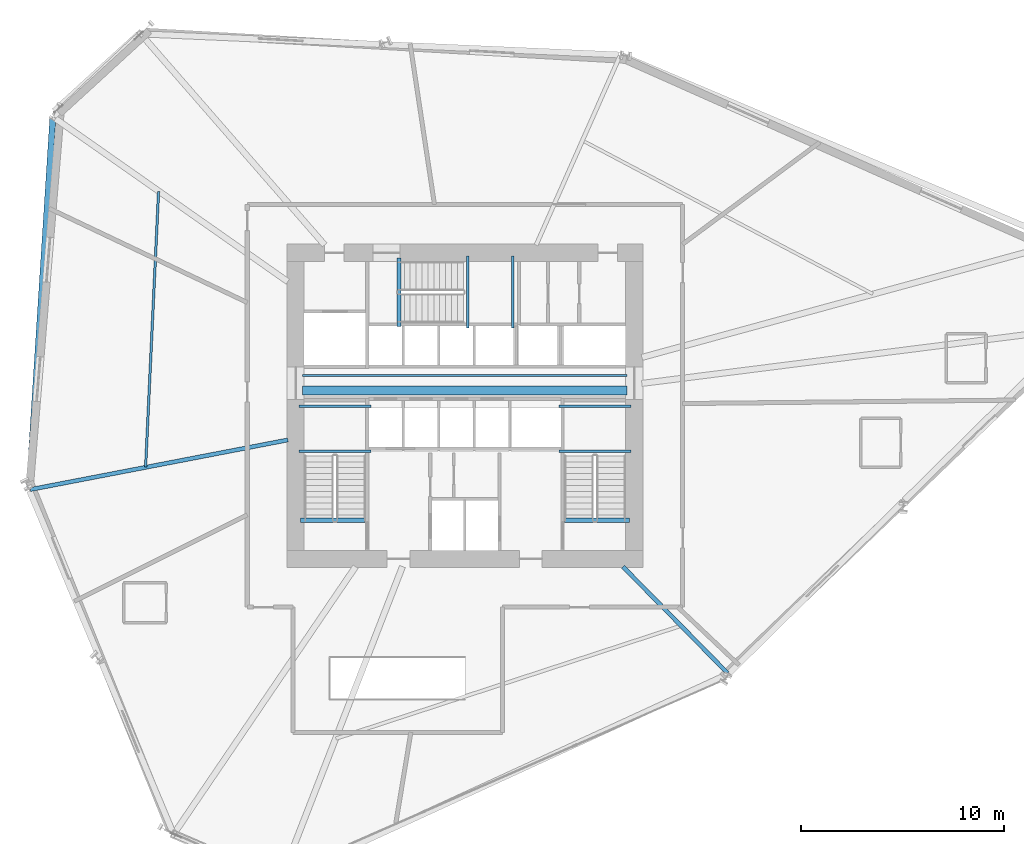
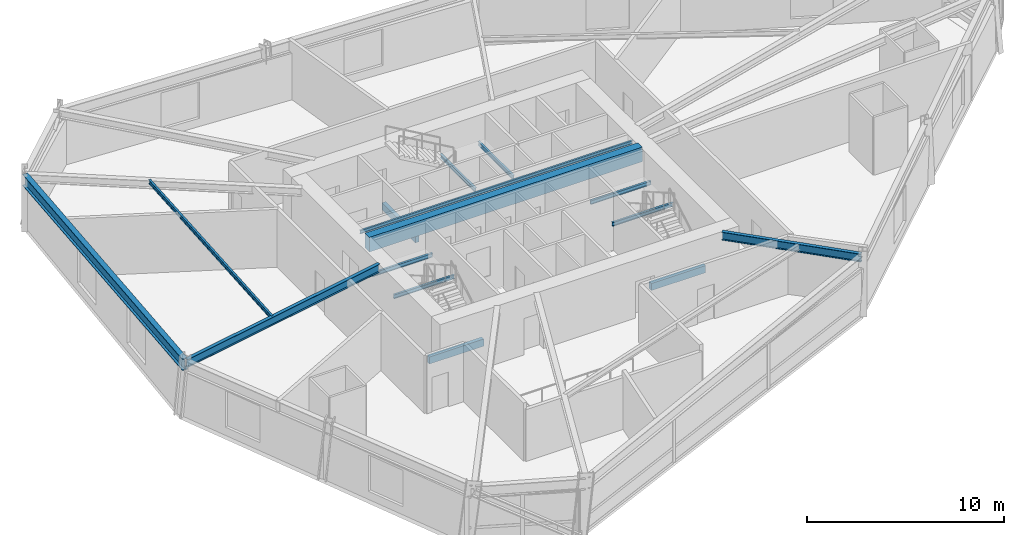
# One storey, part 7 of 17: 15 beams.
"""IFC4 building model written with IfcOpenShell, lengths in metres."""

from ifc_helpers import new_model, si_unit, direction, frame, origin, origin_2d, place, context, subcontext, project, spatial, rectangle, i_section, extrude, source, transform, mapped, material, material_profile, profile_set, type_object, element, save


model = new_model("IFC4")

# Units and contexts
model_context = context("Model", 3, precision=1e-05, world=origin(), true_north=direction((0.0, 1.0)))
body_context = subcontext(model_context, "Body", "Model", "MODEL_VIEW")
ifc_project = project(units=[si_unit("LENGTHUNIT", "METRE"), si_unit("AREAUNIT", "SQUARE_METRE"), si_unit("VOLUMEUNIT", "CUBIC_METRE"), si_unit("PLANEANGLEUNIT", "RADIAN"), si_unit("MASSUNIT", "GRAM", prefix="KILO")], contexts=[model_context])

# Site, building, storey
site_placement = place(None, origin())
site = spatial("IfcSite", under=ifc_project, at=site_placement, CompositionType="ELEMENT")
building_placement = place(site_placement, origin())
building = spatial("IfcBuilding", under=site, at=building_placement, Name="Olszyna Solenne Hotel", CompositionType="ELEMENT")
storey_placement = place(building_placement, frame((0.0, 0.0, 75.89990234375)))
storey = spatial("IfcBuildingStorey", under=building, at=storey_placement, Name="L19", CompositionType="ELEMENT", Elevation=75.89990234375)

# Beams
ifc_material_1 = material(Name="Steel S355J2", Category="steel")
ifc_material_profile_1 = material_profile(ifc_material_1, i_section(OverallWidth=0.300048828125, OverallDepth=0.699951171875, WebThickness=0.01708984375, FlangeThickness=0.031982421875, at=origin_2d()), Name="HEB 700", Category="load-bearing")
ifc_profile_set_1 = profile_set([ifc_material_profile_1], Name="Steel S355J2")
beam_type_1 = type_object("IfcBeamType", Name="BM-S1", PredefinedType="BEAM", material=ifc_profile_set_1)
shared_shape_1 = source(origin(), body_context, "Body", "SweptSolid", [
    extrude(i_section(OverallWidth=0.300048828125, OverallDepth=0.699951171875, WebThickness=0.01708984375, FlangeThickness=0.031982421875, at=origin_2d()), origin(), (0.0, 0.0, 1.0), 18.249267578125),
])
beam_1_placement = place(storey_placement, frame((17.739013671875, 40.74609375, 3.22998046875), z_axis=(-0.063612557404, -0.99797467029, 0.0), x_axis=(0.99797467029, -0.063612557404, 0.0)))
element("IfcBeam", 1, at=beam_1_placement, inside=storey, type_object=beam_type_1, Name="Perimeter spandrel beam BM-S1 B-L19-0581", PredefinedType="BEAM", context=body_context, shape_type="MappedRepresentation", body=[
    mapped(shared_shape_1, transform((0.0, 0.0, 0.0), x_axis=(1.0, 0.0, 0.0), y_axis=(0.0, 1.0, 0.0), z_axis=(0.0, 0.0, 1.0), scale=1.0)),
])
ifc_material_profile_2 = material_profile(ifc_material_1, i_section(OverallWidth=0.199951171875, OverallDepth=0.5, WebThickness=0.01025390625, FlangeThickness=0.01611328125, at=origin_2d()), Name="IPE 500", Category="load-bearing")
ifc_profile_set_2 = profile_set([ifc_material_profile_2], Name="Steel S355J2")
beam_type_2 = type_object("IfcBeamType", Name="BM-F3", PredefinedType="BEAM", material=ifc_profile_set_2)
shared_shape_2 = source(origin(), body_context, "Body", "SweptSolid", [
    extrude(i_section(OverallWidth=0.199951171875, OverallDepth=0.5, WebThickness=0.01025390625, FlangeThickness=0.01611328125, at=origin_2d()), origin(), (0.0, 0.0, 1.0), 12.8984375),
])
beam_2_placement = place(storey_placement, frame((16.63330078125, 22.485107421875, 3.330078125), z_axis=(0.981956325274, 0.189107840279, 0.0), x_axis=(-0.189107840279, 0.981956325274, 0.0)))
element("IfcBeam", 2, at=beam_2_placement, inside=storey, type_object=beam_type_2, Name="Radial floor girder BM-F3 B-L19-0593", PredefinedType="BEAM", context=body_context, shape_type="MappedRepresentation", body=[
    mapped(shared_shape_2, transform((0.0, 0.0, 0.0), x_axis=(1.0, 0.0, 0.0), y_axis=(0.0, 1.0, 0.0), z_axis=(0.0, 0.0, 1.0), scale=1.0)),
])
shared_shape_3 = source(origin(), body_context, "Body", "SweptSolid", [
    extrude(i_section(OverallWidth=0.199951171875, OverallDepth=0.5, WebThickness=0.01025390625, FlangeThickness=0.01611328125, at=origin_2d()), origin(), (0.0, 0.0, 1.0), 7.326904296875),
])
beam_3_placement = place(storey_placement, frame((50.91357421875, 13.4599609375, 3.330078125), z_axis=(-0.700932403547, 0.713227709542, 0.0), x_axis=(-0.713227709542, -0.700932403547, 0.0)))
element("IfcBeam", 3, at=beam_3_placement, inside=storey, type_object=beam_type_2, Name="Radial floor girder BM-F3 B-L19-0596", PredefinedType="BEAM", context=body_context, shape_type="MappedRepresentation", body=[
    mapped(shared_shape_3, transform((0.0, 0.0, 0.0), x_axis=(1.0, 0.0, 0.0), y_axis=(0.0, 1.0, 0.0), z_axis=(0.0, 0.0, 1.0), scale=1.0)),
])
ifc_material_profile_3 = material_profile(ifc_material_1, i_section(OverallWidth=0.1201171875, OverallDepth=0.239990234375, WebThickness=0.006103515625, FlangeThickness=0.009765625, at=origin_2d()), Name="IPE 240", Category="load-bearing")
ifc_profile_set_3 = profile_set([ifc_material_profile_3], Name="Steel S355J2")
beam_type_3 = type_object("IfcBeamType", Name="JS-03", PredefinedType="JOIST", material=ifc_profile_set_3)
shared_shape_4 = source(origin(), body_context, "Body", "SweptSolid", [
    extrude(i_section(OverallWidth=0.1201171875, OverallDepth=0.239990234375, WebThickness=0.006103515625, FlangeThickness=0.009765625, at=origin_2d()), origin(), (0.0, 0.0, 1.0), 13.56005859375),
])
beam_4_placement = place(storey_placement, frame((22.938720703125, 37.141845703125, 3.460205078125), z_axis=(-0.046991163575, -0.998895305098, 0.0), x_axis=(0.998895305098, -0.046991163575, 0.0)))
element("IfcBeam", 4, at=beam_4_placement, inside=storey, type_object=beam_type_3, Name="Secondary composite floor joist JS-03 B-L19-0598", PredefinedType="JOIST", context=body_context, shape_type="MappedRepresentation", body=[
    mapped(shared_shape_4, transform((0.0, 0.0, 0.0), x_axis=(1.0, 0.0, 0.0), y_axis=(0.0, 1.0, 0.0), z_axis=(0.0, 0.0, 1.0), scale=1.0)),
])
ifc_material_2 = material(Name="Concrete C50/60", Category="concrete")
ifc_material_profile_4 = material_profile(ifc_material_2, rectangle(XDim=0.449951171875, YDim=0.89990234375, at=origin_2d()), Name="RC 900x450", Category="load-bearing")
ifc_profile_set_4 = profile_set([ifc_material_profile_4], Name="Concrete C50/60")
beam_type_4 = type_object("IfcBeamType", Name="CB-01", PredefinedType="LINTEL", material=ifc_profile_set_4)
shared_shape_5 = source(origin(), body_context, "Body", "SweptSolid", [
    extrude(rectangle(XDim=0.449951171875, YDim=0.89990234375, at=origin_2d()), origin(), (0.0, 0.0, 1.0), 15.9599609375),
])
beam_5_placement = place(storey_placement, frame((30.02001953125, 27.35009765625, 3.130126953125), z_axis=(1.0, 0.0, 0.0), x_axis=(0.0, 1.0, 0.0)))
element("IfcBeam", 5, at=beam_5_placement, inside=storey, type_object=beam_type_4, Name="Core coupling lintel beam CB-01 L19", PredefinedType="LINTEL", context=body_context, shape_type="MappedRepresentation", body=[
    mapped(shared_shape_5, transform((0.0, 0.0, 0.0), x_axis=(1.0, 0.0, 0.0), y_axis=(0.0, 1.0, 0.0), z_axis=(0.0, 0.0, 1.0), scale=1.0)),
])
ifc_material_profile_5 = material_profile(ifc_material_1, i_section(OverallWidth=0.10009765625, OverallDepth=0.199951171875, WebThickness=0.005615234375, FlangeThickness=0.008544921875, at=origin_2d()), Name="IPE 200", Category="load-bearing")
ifc_profile_set_5 = profile_set([ifc_material_profile_5], Name="Steel S355J2")
beam_type_5 = type_object("IfcBeamType", Name="LN-01", PredefinedType="LINTEL", material=ifc_profile_set_5)
shared_shape_6 = source(origin(), body_context, "Body", "SweptSolid", [
    extrude(i_section(OverallWidth=0.10009765625, OverallDepth=0.199951171875, WebThickness=0.005615234375, FlangeThickness=0.008544921875, at=origin_2d()), origin(), (0.0, 0.0, 1.0), 15.9599609375),
])
beam_6_placement = place(storey_placement, frame((30.02001953125, 28.10009765625, 3.330078125), z_axis=(1.0, 0.0, 0.0), x_axis=(0.0, 1.0, 0.0)))
element("IfcBeam", 6, at=beam_6_placement, inside=storey, type_object=beam_type_5, Name="Opening steel lintel LN-01 L19", PredefinedType="LINTEL", context=body_context, shape_type="MappedRepresentation", body=[
    mapped(shared_shape_6, transform((0.0, 0.0, 0.0), x_axis=(1.0, 0.0, 0.0), y_axis=(0.0, 1.0, 0.0), z_axis=(0.0, 0.0, 1.0), scale=1.0)),
])
shared_shape_7 = source(origin(), body_context, "Body", "SweptSolid", [
    extrude(i_section(OverallWidth=0.1201171875, OverallDepth=0.239990234375, WebThickness=0.006103515625, FlangeThickness=0.009765625, at=origin_2d()), origin(), (0.0, 0.0, 1.0), 3.539794921875),
])
for number, where, z_axis, x_axis, name in (
    (7, (33.3798828125, 24.360107421875, 1.675048828125), (-1.0, 0.0, 0.0), (0.0, -1.0, 0.0), "Stair landing support beam JS-03 SLB-ST1-0043"),
    (8, (33.3798828125, 26.580078125, 1.675048828125), (-1.0, 0.0, 0.0), (0.0, -1.0, 0.0), "Stair landing support beam JS-03 SLB-ST1-0044"),
    (9, (46.159912109375, 24.360107421875, 1.675048828125), (-1.0, 0.0, 0.0), (0.0, -1.0, 0.0), "Stair landing support beam JS-03 SLB-ST2-0283"),
    (10, (46.159912109375, 26.580078125, 1.675048828125), (-1.0, 0.0, 0.0), (0.0, -1.0, 0.0), "Stair landing support beam JS-03 SLB-ST2-0284"),
):
    element("IfcBeam", number, at=place(storey_placement, frame(where, z_axis=z_axis, x_axis=x_axis)), inside=storey, type_object=beam_type_3, Name=name, PredefinedType="JOIST", context=body_context, shape_type="MappedRepresentation", body=[
        mapped(shared_shape_7, transform((0.0, 0.0, 0.0), x_axis=(1.0, 0.0, 0.0), y_axis=(0.0, 1.0, 0.0), z_axis=(0.0, 0.0, 1.0), scale=1.0)),
    ])
ifc_material_profile_6 = material_profile(ifc_material_2, rectangle(XDim=0.219970703125, YDim=0.43994140625, at=origin_2d()), Name="RC 220x440", Category="load-bearing")
ifc_profile_set_6 = profile_set([ifc_material_profile_6], Name="Concrete C50/60")
beam_type_6 = type_object("IfcBeamType", Name="BM-ST1", PredefinedType="BEAM", material=ifc_profile_set_6)
shared_shape_8 = source(origin(), body_context, "Body", "SweptSolid", [
    extrude(rectangle(XDim=0.219970703125, YDim=0.43994140625, at=origin_2d()), origin(), (0.0, 0.0, 1.0), 3.18017578125),
])
for number, where, z_axis, x_axis, name in (
    (11, (33.10009765625, 20.97998046875, -0.204833984375), (-1.0, 0.0, 0.0), (0.0, -1.0, 0.0), "Concrete stair trimmer beam BM-ST1 SHB-ST1-0181"),
    (12, (46.080078125, 20.97998046875, -0.204833984375), (-1.0, 0.0, 0.0), (0.0, -1.0, 0.0), "Concrete stair trimmer beam BM-ST1 SHB-ST2-0421"),
):
    element("IfcBeam", number, at=place(storey_placement, frame(where, z_axis=z_axis, x_axis=x_axis)), inside=storey, type_object=beam_type_6, Name=name, PredefinedType="BEAM", context=body_context, shape_type="MappedRepresentation", body=[
        mapped(shared_shape_8, transform((0.0, 0.0, 0.0), x_axis=(1.0, 0.0, 0.0), y_axis=(0.0, 1.0, 0.0), z_axis=(0.0, 0.0, 1.0), scale=1.0)),
    ])
shared_shape_9 = source(origin(), body_context, "Body", "SweptSolid", [
    extrude(i_section(OverallWidth=0.1201171875, OverallDepth=0.239990234375, WebThickness=0.006103515625, FlangeThickness=0.009765625, at=origin_2d()), origin(), (0.0, 0.0, 1.0), 3.5400390625),
])
for number, where, z_axis, x_axis, name in (
    (13, (38.139892578125, 30.419921875, 1.675048828125), (0.0, 1.0, 0.0), (-1.0, 0.0, 0.0), "Stair landing support beam JS-03 SLB-ST3-0523"),
    (14, (40.360107421875, 30.419921875, 1.675048828125), (0.0, 1.0, 0.0), (-1.0, 0.0, 0.0), "Stair landing support beam JS-03 SLB-ST3-0524"),
):
    element("IfcBeam", number, at=place(storey_placement, frame(where, z_axis=z_axis, x_axis=x_axis)), inside=storey, type_object=beam_type_3, Name=name, PredefinedType="JOIST", context=body_context, shape_type="MappedRepresentation", body=[
        mapped(shared_shape_9, transform((0.0, 0.0, 0.0), x_axis=(1.0, 0.0, 0.0), y_axis=(0.0, 1.0, 0.0), z_axis=(0.0, 0.0, 1.0), scale=1.0)),
    ])
shared_shape_10 = source(origin(), body_context, "Body", "SweptSolid", [
    extrude(rectangle(XDim=0.219970703125, YDim=0.43994140625, at=origin_2d()), origin(), (0.0, 0.0, 1.0), 3.3798828125),
])
beam_7_placement = place(storey_placement, frame((34.760009765625, 30.5, -0.204833984375), z_axis=(0.0, 1.0, 0.0), x_axis=(-1.0, 0.0, 0.0)))
element("IfcBeam", 15, at=beam_7_placement, inside=storey, type_object=beam_type_6, Name="Concrete stair trimmer beam BM-ST1 SHB-ST3-0659", PredefinedType="BEAM", context=body_context, shape_type="MappedRepresentation", body=[
    mapped(shared_shape_10, transform((0.0, 0.0, 0.0), x_axis=(1.0, 0.0, 0.0), y_axis=(0.0, 1.0, 0.0), z_axis=(0.0, 0.0, 1.0), scale=1.0)),
])

save(model, "model.ifc")
